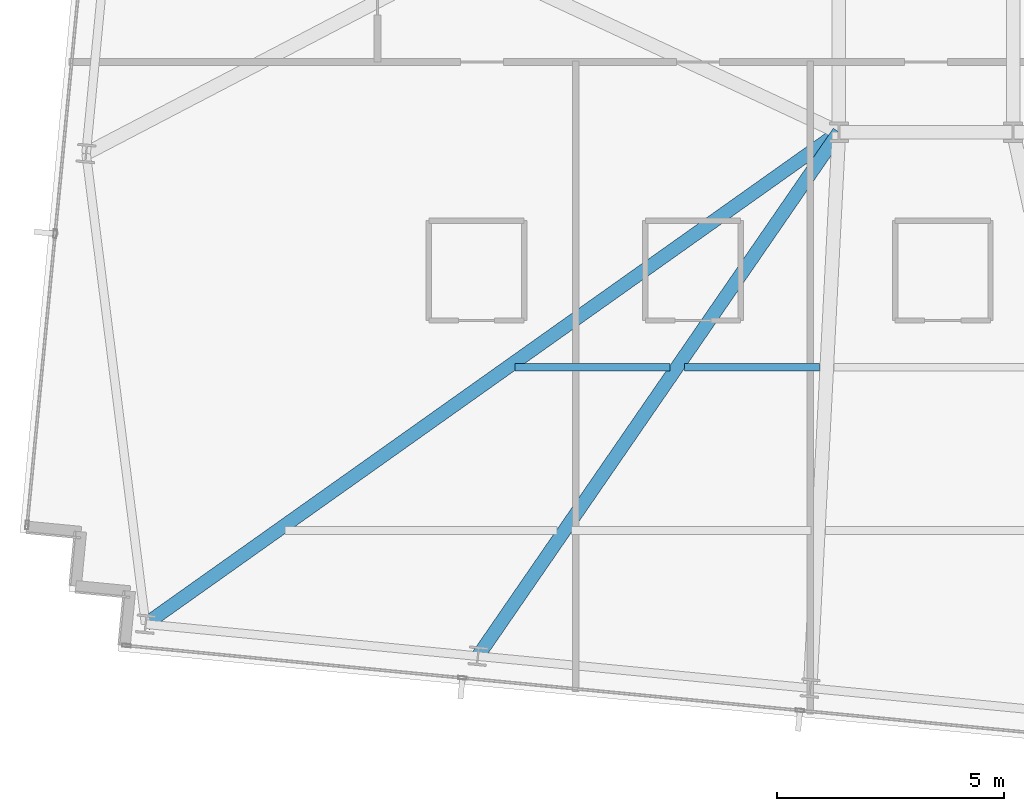
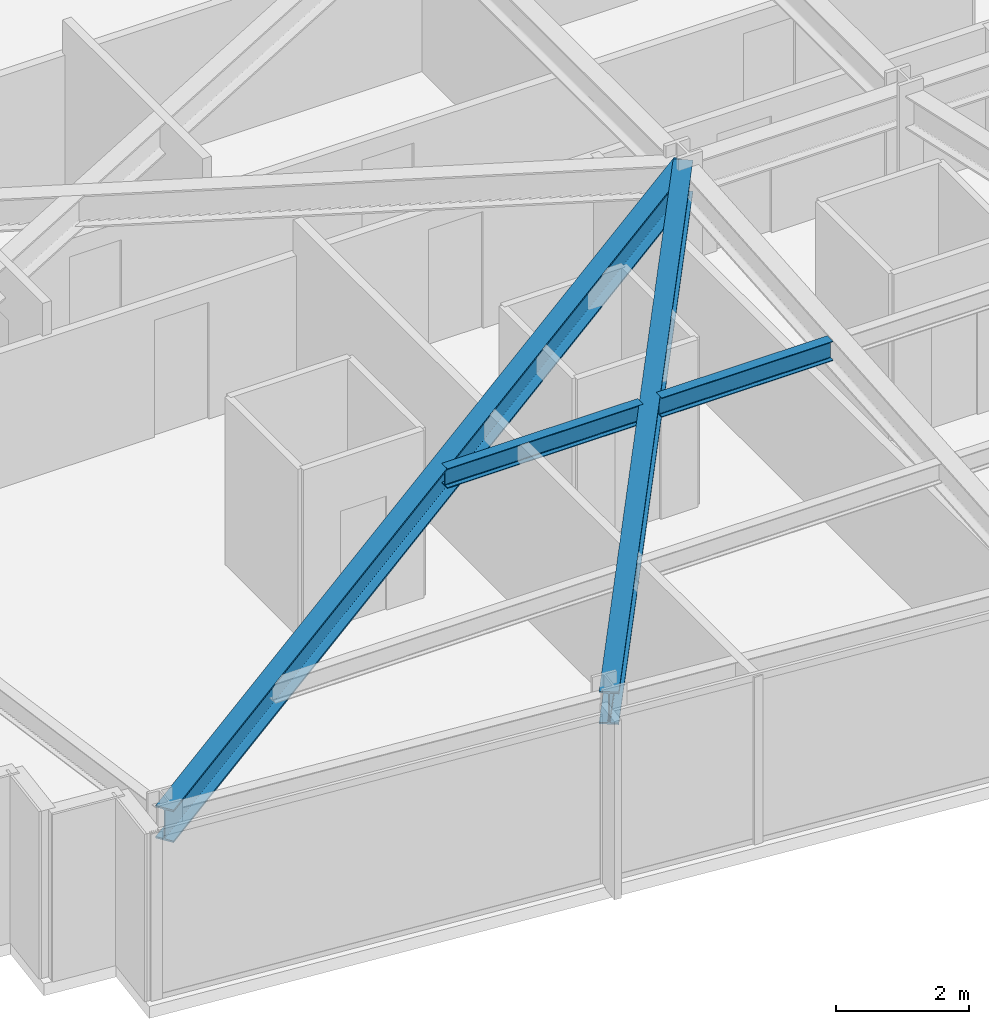
# One storey, part 5 of 37: 4 beams.
"""IFC4 building model written with IfcOpenShell, lengths in metres."""

from ifc_helpers import new_model, si_unit, direction, frame, origin, origin_2d, place, context, subcontext, project, spatial, i_section, extrude, material, material_profile, profile_set, type_object, element, save


model = new_model("IFC4")

# Units and contexts
model_context = context("Model", 3, precision=1e-05, world=origin(), true_north=direction((0.0, 1.0)))
body_context = subcontext(model_context, "Body", "Model", "MODEL_VIEW")
ifc_project = project(units=[si_unit("LENGTHUNIT", "METRE"), si_unit("AREAUNIT", "SQUARE_METRE"), si_unit("VOLUMEUNIT", "CUBIC_METRE"), si_unit("PLANEANGLEUNIT", "RADIAN"), si_unit("MASSUNIT", "GRAM", prefix="KILO")], contexts=[model_context])

# Site, building, storey
site_placement = place(None, origin())
site = spatial("IfcSite", under=ifc_project, at=site_placement, CompositionType="ELEMENT")
building_placement = place(site_placement, origin())
building = spatial("IfcBuilding", under=site, at=building_placement, Name="Yelkora Congress Tower", CompositionType="ELEMENT")
storey_placement = place(building_placement, frame((0.0, 0.0, 175.39990234375)))
storey = spatial("IfcBuildingStorey", under=building, at=storey_placement, Name="L48", CompositionType="ELEMENT", Elevation=175.39990234375)

# Beams
ifc_material = material(Name="Steel S355J2", Category="steel")
ifc_material_profile_1 = material_profile(ifc_material, i_section(OverallWidth=0.300048828125, OverallDepth=0.60009765625, WebThickness=0.015380859375, FlangeThickness=0.030029296875, FilletRadius=0.027099609375, at=origin_2d()), Name="HEB 600")
ifc_profile_set_1 = profile_set([ifc_material_profile_1], Name="Steel S355J2")
beam_type_1 = type_object("IfcBeamType", Name="BM-GIRD-HEB600", PredefinedType="BEAM", material=ifc_profile_set_1)
beam_1_placement = place(storey_placement, frame((3.919189453125, 14.357421875, 2.780029296875), z_axis=(0.815554555366, 0.578680194254, 0.0), x_axis=(-0.578680194254, 0.815554555366, 0.0)))
element("IfcBeam", 1, at=beam_1_placement, inside=storey, type_object=beam_type_1, Name="L48 Primary Frame Girder S01", PredefinedType="BEAM", context=body_context, shape_type="SweptSolid", body=[
    extrude(i_section(OverallWidth=0.300048828125, OverallDepth=0.60009765625, WebThickness=0.015380859375, FlangeThickness=0.030029296875, FilletRadius=0.027099609375, at=origin_2d()), origin(), (0.0, 0.0, 1.0), 18.736572265625),
])
beam_2_placement = place(storey_placement, frame((11.242431640625, 13.652099609375, 2.780029296875), z_axis=(0.567418043278, 0.823429878109, 0.0), x_axis=(-0.823429878109, 0.567418043278, 0.0)))
element("IfcBeam", 2, at=beam_2_placement, inside=storey, type_object=beam_type_1, Name="L48 Primary Frame Girder S02", PredefinedType="BEAM", context=body_context, shape_type="SweptSolid", body=[
    extrude(i_section(OverallWidth=0.300048828125, OverallDepth=0.60009765625, WebThickness=0.015380859375, FlangeThickness=0.030029296875, FilletRadius=0.027099609375, at=origin_2d()), origin(), (0.0, 0.0, 1.0), 14.024169921875),
])
ifc_material_profile_2 = material_profile(ifc_material, i_section(OverallWidth=0.169921875, OverallDepth=0.360107421875, WebThickness=0.008056640625, FlangeThickness=0.0126953125, FilletRadius=0.01806640625, at=origin_2d()), Name="IPE 360")
ifc_profile_set_2 = profile_set([ifc_material_profile_2], Name="Steel S355J2")
beam_type_2 = type_object("IfcBeamType", Name="BM-JOIST-IPE360", PredefinedType="JOIST", material=ifc_profile_set_2)
beam_3_placement = place(storey_placement, frame((12.061279296875, 20.021240234375, 2.900146484375), z_axis=(1.0, 0.0, 0.0), x_axis=(0.0, 1.0, 0.0)))
element("IfcBeam", 3, at=beam_3_placement, inside=storey, type_object=beam_type_2, Name="L48 Composite Floor Joist 12", PredefinedType="JOIST", context=body_context, shape_type="SweptSolid", body=[
    extrude(i_section(OverallWidth=0.169921875, OverallDepth=0.360107421875, WebThickness=0.008056640625, FlangeThickness=0.0126953125, FilletRadius=0.01806640625, at=origin_2d()), origin(), (0.0, 0.0, 1.0), 3.409912109375),
])
beam_4_placement = place(storey_placement, frame((15.791259765625, 20.021240234375, 2.900146484375), z_axis=(1.0, 0.0, 0.0), x_axis=(0.0, 1.0, 0.0)))
element("IfcBeam", 4, at=beam_4_placement, inside=storey, type_object=beam_type_2, Name="L48 Composite Floor Joist 13", PredefinedType="JOIST", context=body_context, shape_type="SweptSolid", body=[
    extrude(i_section(OverallWidth=0.169921875, OverallDepth=0.360107421875, WebThickness=0.008056640625, FlangeThickness=0.0126953125, FilletRadius=0.01806640625, at=origin_2d()), origin(), (0.0, 0.0, 1.0), 2.980712890625),
])

save(model, "model.ifc")
